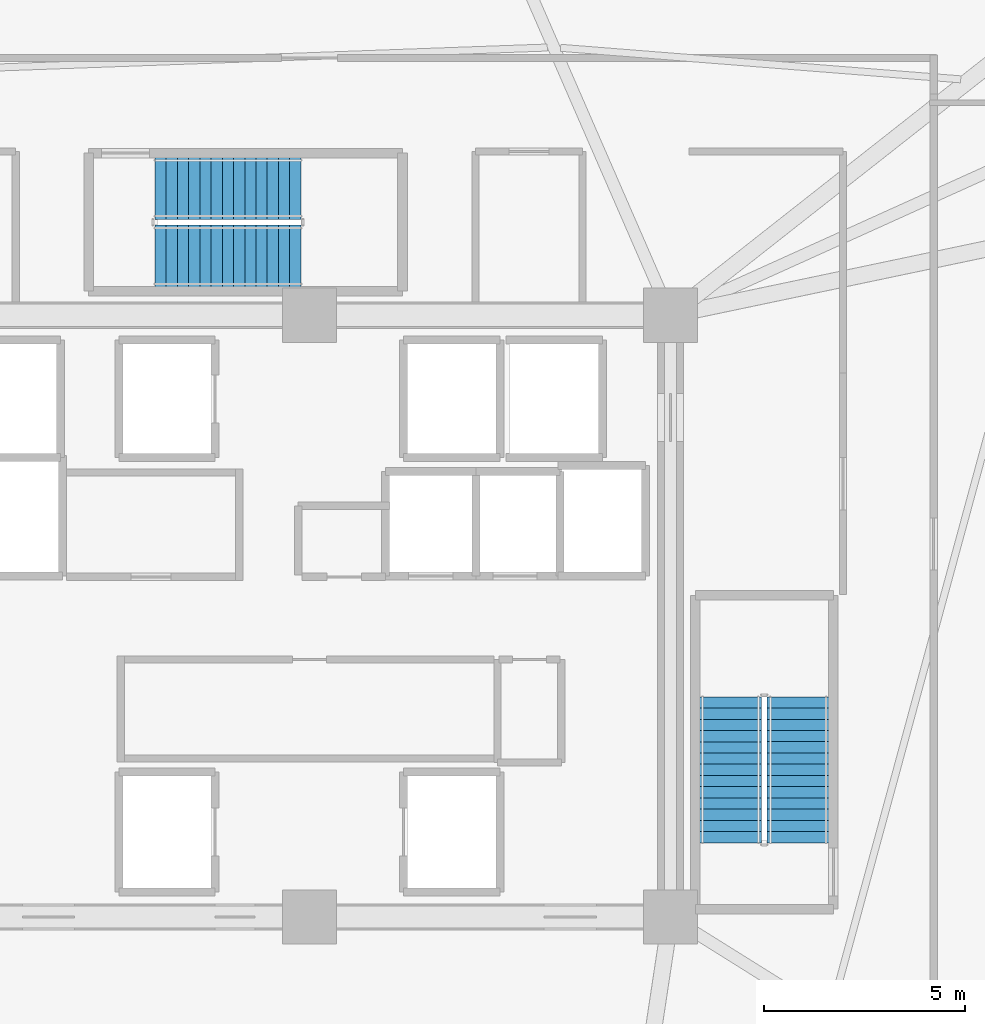
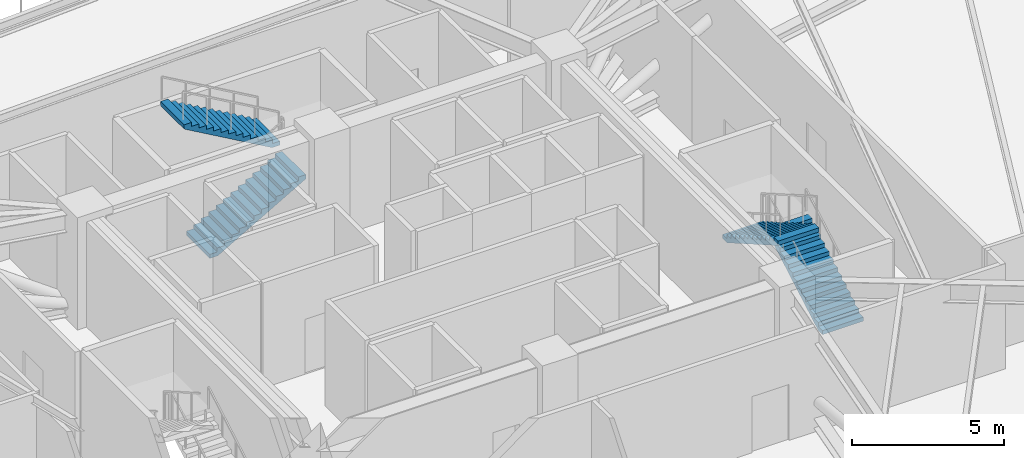
# One storey, part 17 of 22: 4 stair flights, 2 elements without a shape of their own.
"""IFC4 building model written with IfcOpenShell, lengths in metres."""

from ifc_helpers import new_model, si_unit, direction, frame, origin, place, context, subcontext, project, spatial, polyline, outline, extrude, material, type_object, element, aggregate, save


model = new_model("IFC4")

# Units and contexts
model_context = context("Model", 3, precision=1e-05, world=origin(), true_north=direction((0.0, 1.0)))
body_context = subcontext(model_context, "Body", "Model", "MODEL_VIEW")
ifc_project = project(units=[si_unit("LENGTHUNIT", "METRE"), si_unit("AREAUNIT", "SQUARE_METRE"), si_unit("VOLUMEUNIT", "CUBIC_METRE"), si_unit("PLANEANGLEUNIT", "RADIAN"), si_unit("MASSUNIT", "GRAM", prefix="KILO")], contexts=[model_context])

# Site, building, storey
site_placement = place(None, origin())
site = spatial("IfcSite", under=ifc_project, at=site_placement, CompositionType="ELEMENT")
building_placement = place(site_placement, origin())
building = spatial("IfcBuilding", under=site, at=building_placement, Name="Liaohun Quay Tower", CompositionType="ELEMENT")
storey_placement = place(building_placement, frame((0.0, 0.0, 277.5)))
storey = spatial("IfcBuildingStorey", under=building, at=storey_placement, Name="L72", CompositionType="ELEMENT", Elevation=277.5)

# Stair, stair flights
ifc_material = material(Name="Concrete C45", Category="concrete")
stair_type = type_object("IfcStairType", Name="STR-CORE-TALL", PredefinedType="HALF_TURN_STAIR", material=ifc_material)
stair_1_placement = place(storey_placement, origin())
stair_1 = element("IfcStair", 1, at=stair_1_placement, inside=storey, type_object=stair_type, Name="L72 Smokeproof Core Exit Stair ST-2", PredefinedType="HALF_TURN_STAIR")
stair_flight_type = type_object("IfcStairFlightType", Name="FLT-CORE-155", PredefinedType="STRAIGHT", material=ifc_material)
stair_flight_1_placement = place(storey_placement, frame((72.18505859375, 48.35009765625, 0.0), z_axis=(0.0, 0.0, 1.0), x_axis=(0.0, 1.0, 0.0)))
stair_flight_1 = element("IfcStairFlight", 2, at=stair_flight_1_placement, type_object=stair_flight_type, Name="ST-2 flight 1", NumberOfRisers=14, NumberOfTreads=13, PredefinedType="STRAIGHT", RiserHeight=0.160714286, TreadLength=0.28, context=body_context, shape_type="SweptSolid", body=[
    extrude(outline(polyline([(0.0, 0.0), (0.0, 0.16064453125), (0.280029296875, 0.16064453125), (0.280029296875, 0.321533203125), (0.56005859375, 0.321533203125), (0.56005859375, 0.482177734375), (0.840087890625, 0.482177734375), (0.840087890625, 0.642822265625), (1.1201171875, 0.642822265625), (1.1201171875, 0.803466796875), (1.39990234375, 0.803466796875), (1.39990234375, 0.96435546875), (1.679931640625, 0.96435546875), (1.679931640625, 1.125), (1.9599609375, 1.125), (1.9599609375, 1.28564453125), (2.239990234375, 1.28564453125), (2.239990234375, 1.446533203125), (2.52001953125, 1.446533203125), (2.52001953125, 1.607177734375), (2.800048828125, 1.607177734375), (2.800048828125, 1.767822265625), (3.080078125, 1.767822265625), (3.080078125, 1.928466796875), (3.360107421875, 1.928466796875), (3.360107421875, 2.08935546875), (3.639892578125, 2.08935546875), (3.639892578125, 2.25), (3.639892578125, 1.91650390625), (0.301025390625, 0.0), (0.0, 0.0)])), frame((0.0, 0.77490234375, 0.0), z_axis=(0.0, -1.0, 0.0), x_axis=(1.0, 0.0, 0.0)), (0.0, 0.0, 1.0), 1.550048828125),
])
stair_flight_2_placement = place(storey_placement, frame((70.4951171875, 51.989990234375, 2.25), z_axis=(0.0, 0.0, 1.0), x_axis=(0.0, -1.0, 0.0)))
stair_flight_2 = element("IfcStairFlight", 3, at=stair_flight_2_placement, type_object=stair_flight_type, Name="ST-2 flight 2", NumberOfRisers=14, NumberOfTreads=13, PredefinedType="STRAIGHT", RiserHeight=0.160714286, TreadLength=0.28, context=body_context, shape_type="SweptSolid", body=[
    extrude(outline(polyline([(0.0, 0.0), (0.0, 0.16064453125), (0.280029296875, 0.16064453125), (0.280029296875, 0.321533203125), (0.56005859375, 0.321533203125), (0.56005859375, 0.482177734375), (0.840087890625, 0.482177734375), (0.840087890625, 0.642822265625), (1.1201171875, 0.642822265625), (1.1201171875, 0.803466796875), (1.39990234375, 0.803466796875), (1.39990234375, 0.96435546875), (1.679931640625, 0.96435546875), (1.679931640625, 1.125), (1.9599609375, 1.125), (1.9599609375, 1.28564453125), (2.239990234375, 1.28564453125), (2.239990234375, 1.446533203125), (2.52001953125, 1.446533203125), (2.52001953125, 1.607177734375), (2.800048828125, 1.607177734375), (2.800048828125, 1.767822265625), (3.080078125, 1.767822265625), (3.080078125, 1.928466796875), (3.360107421875, 1.928466796875), (3.360107421875, 2.08935546875), (3.639892578125, 2.08935546875), (3.639892578125, 2.25), (3.639892578125, 1.91650390625), (0.301025390625, 0.0), (0.0, 0.0)])), frame((0.0, 0.77490234375, 0.0), z_axis=(0.0, -1.0, 0.0), x_axis=(1.0, 0.0, 0.0)), (0.0, 0.0, 1.0), 1.550048828125),
])
aggregate(stair_1, [stair_flight_1, stair_flight_2])

stair_2_placement = place(storey_placement, origin())
stair_2 = element("IfcStair", 4, at=stair_2_placement, inside=storey, type_object=stair_type, Name="L72 Smokeproof Core Exit Stair ST-3", PredefinedType="HALF_TURN_STAIR")
stair_flight_3_placement = place(storey_placement, frame((56.14990234375, 62.97509765625, 0.0), z_axis=(0.0, 0.0, 1.0), x_axis=(1.0, 0.0, 0.0)))
stair_flight_3 = element("IfcStairFlight", 5, at=stair_flight_3_placement, type_object=stair_flight_type, Name="ST-3 flight 1", NumberOfRisers=14, NumberOfTreads=13, PredefinedType="STRAIGHT", RiserHeight=0.160714286, TreadLength=0.28, context=body_context, shape_type="SweptSolid", body=[
    extrude(outline(polyline([(0.0, 0.0), (0.0, 0.16064453125), (0.280029296875, 0.16064453125), (0.280029296875, 0.321533203125), (0.56005859375, 0.321533203125), (0.56005859375, 0.482177734375), (0.840087890625, 0.482177734375), (0.840087890625, 0.642822265625), (1.1201171875, 0.642822265625), (1.1201171875, 0.803466796875), (1.39990234375, 0.803466796875), (1.39990234375, 0.96435546875), (1.679931640625, 0.96435546875), (1.679931640625, 1.125), (1.9599609375, 1.125), (1.9599609375, 1.28564453125), (2.239990234375, 1.28564453125), (2.239990234375, 1.446533203125), (2.52001953125, 1.446533203125), (2.52001953125, 1.607177734375), (2.800048828125, 1.607177734375), (2.800048828125, 1.767822265625), (3.080078125, 1.767822265625), (3.080078125, 1.928466796875), (3.360107421875, 1.928466796875), (3.360107421875, 2.08935546875), (3.639892578125, 2.08935546875), (3.639892578125, 2.25), (3.639892578125, 1.91650390625), (0.301025390625, 0.0), (0.0, 0.0)])), frame((0.0, 0.77490234375, 0.0), z_axis=(0.0, -1.0, 0.0), x_axis=(1.0, 0.0, 0.0)), (0.0, 0.0, 1.0), 1.550048828125),
])
stair_flight_4_placement = place(storey_placement, frame((59.7900390625, 64.6650390625, 2.25), z_axis=(0.0, 0.0, 1.0), x_axis=(-1.0, 0.0, 0.0)))
stair_flight_4 = element("IfcStairFlight", 6, at=stair_flight_4_placement, type_object=stair_flight_type, Name="ST-3 flight 2", NumberOfRisers=14, NumberOfTreads=13, PredefinedType="STRAIGHT", RiserHeight=0.160714286, TreadLength=0.28, context=body_context, shape_type="SweptSolid", body=[
    extrude(outline(polyline([(0.0, 0.0), (0.0, 0.16064453125), (0.280029296875, 0.16064453125), (0.280029296875, 0.321533203125), (0.56005859375, 0.321533203125), (0.56005859375, 0.482177734375), (0.840087890625, 0.482177734375), (0.840087890625, 0.642822265625), (1.1201171875, 0.642822265625), (1.1201171875, 0.803466796875), (1.39990234375, 0.803466796875), (1.39990234375, 0.96435546875), (1.679931640625, 0.96435546875), (1.679931640625, 1.125), (1.9599609375, 1.125), (1.9599609375, 1.28564453125), (2.239990234375, 1.28564453125), (2.239990234375, 1.446533203125), (2.52001953125, 1.446533203125), (2.52001953125, 1.607177734375), (2.800048828125, 1.607177734375), (2.800048828125, 1.767822265625), (3.080078125, 1.767822265625), (3.080078125, 1.928466796875), (3.360107421875, 1.928466796875), (3.360107421875, 2.08935546875), (3.639892578125, 2.08935546875), (3.639892578125, 2.25), (3.639892578125, 1.91650390625), (0.301025390625, 0.0), (0.0, 0.0)])), frame((0.0, 0.77490234375, 0.0), z_axis=(0.0, -1.0, 0.0), x_axis=(1.0, 0.0, 0.0)), (0.0, 0.0, 1.0), 1.550048828125),
])
aggregate(stair_2, [stair_flight_3, stair_flight_4])

save(model, "model.ifc")
